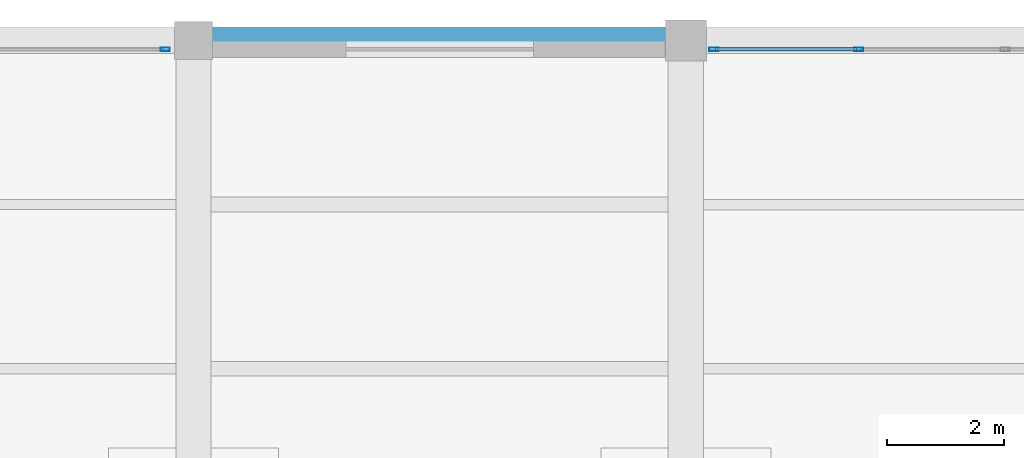
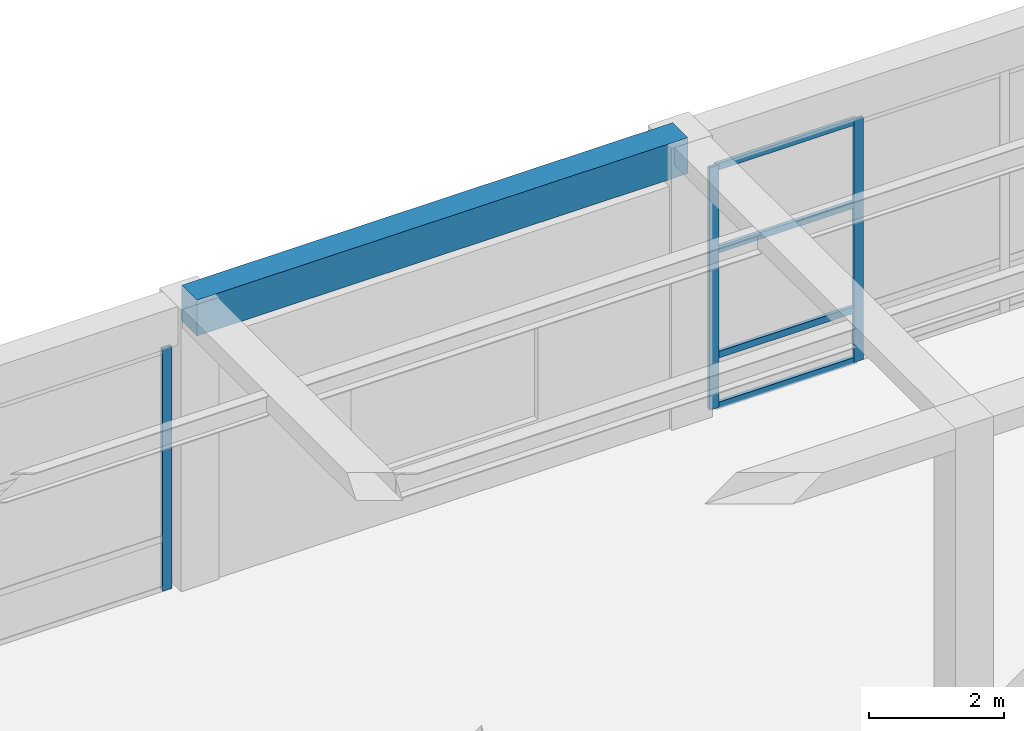
# One storey, part 63 of 96: 7 members, 1 beam, 2 elements without a shape of their own.
"""IFC4 building model written with IfcOpenShell, lengths in metres."""

from ifc_helpers import new_model, si_unit, direction, frame, origin, origin_2d, place, context, subcontext, project, spatial, rectangle, hollow_rectangle, extrude, material, material_profile, profile_set, type_object, element, aggregate, save


model = new_model("IFC4")

# Units and contexts
model_context = context("Model", 3, precision=1e-05, world=origin(), true_north=direction((0.0, 1.0)))
body_context = subcontext(model_context, "Body", "Model", "MODEL_VIEW")
ifc_project = project(units=[si_unit("LENGTHUNIT", "METRE"), si_unit("AREAUNIT", "SQUARE_METRE"), si_unit("VOLUMEUNIT", "CUBIC_METRE"), si_unit("PLANEANGLEUNIT", "RADIAN"), si_unit("MASSUNIT", "GRAM", prefix="KILO")], contexts=[model_context])

# Site, building, storey
site_placement = place(None, origin())
site = spatial("IfcSite", under=ifc_project, at=site_placement, CompositionType="ELEMENT")
building_placement = place(site_placement, origin())
building = spatial("IfcBuilding", under=site, at=building_placement, Name="Almacenes y Pasaje Nevantli", CompositionType="ELEMENT")
storey_placement = place(building_placement, frame((0.0, 0.0, 6.0)))
storey = spatial("IfcBuildingStorey", under=building, at=storey_placement, Name="L02", CompositionType="ELEMENT", Elevation=6.0)

# Beam
ifc_material_1 = material(Name="Concrete C35/45", Category="concrete")
ifc_material_profile_1 = material_profile(ifc_material_1, rectangle(XDim=0.449951171875, YDim=0.64990234375, at=origin_2d()), Name="RC-BM-450x650")
ifc_profile_set_1 = profile_set([ifc_material_profile_1], Name="Concrete C35/45")
beam_type = type_object("IfcBeamType", Name="BM-RC-450x650", PredefinedType="SPANDREL", material=ifc_profile_set_1)
beam_placement = place(storey_placement, frame((142.800048828125, 117.60009765625, 4.77490234375), z_axis=(1.0, 0.0, 0.0), x_axis=(0.0, 1.0, 0.0)))
element("IfcBeam", 1, at=beam_placement, inside=storey, type_object=beam_type, Name="L02 East-West Reinforced Concrete Beam #1963", PredefinedType="SPANDREL", context=body_context, shape_type="SweptSolid", body=[
    extrude(rectangle(XDim=0.449951171875, YDim=0.64990234375, at=origin_2d()), origin(), (0.0, 0.0, 1.0), 8.39990234375),
])

# Curtain wall, member
ifc_material_2 = material(Name="Thermally Broken Aluminium and Low-E Glass", Category="aluminium")
curtain_wall_type = type_object("IfcCurtainWallType", Name="CW-STF-BLVD", PredefinedType="USERDEFINED", material=ifc_material_2)
curtain_wall_1_placement = place(storey_placement, origin())
curtain_wall_1 = element("IfcCurtainWall", 2, at=curtain_wall_1_placement, inside=storey, type_object=curtain_wall_type, Name="L02 North Boulevard Retail Curtain Wall Bay 17", ObjectType="STOREFRONT GLAZING", PredefinedType="USERDEFINED")
ifc_material_3 = material(Name="Thermally Broken Anodized Aluminium", Category="aluminium")
ifc_material_profile_2 = material_profile(ifc_material_3, hollow_rectangle(XDim=0.06005859375, YDim=0.159912109375, WallThickness=0.00390625, at=origin_2d()), Name="ALU-MUL-60x160")
ifc_profile_set_2 = profile_set([ifc_material_profile_2], Name="Thermally Broken Anodized Aluminium")
member_type_1 = type_object("IfcMemberType", Name="CW-MUL-180", PredefinedType="MULLION", material=ifc_profile_set_2)
member_1_placement = place(storey_placement, frame((142.320068359375, 117.449951171875, 0.0), z_axis=(0.0, 0.0, 1.0), x_axis=(0.0, 1.0, 0.0)))
member_1 = element("IfcMember", 3, at=member_1_placement, type_object=member_type_1, Name="CW-L02-010 mullion 3", PredefinedType="MULLION", context=body_context, shape_type="SweptSolid", body=[
    extrude(hollow_rectangle(XDim=0.06005859375, YDim=0.159912109375, WallThickness=0.00390625, at=origin_2d()), origin(), (0.0, 0.0, 1.0), 4.3798828125),
])
aggregate(curtain_wall_1, [member_1])

# Curtain wall, members
curtain_wall_2_placement = place(storey_placement, origin())
curtain_wall_2 = element("IfcCurtainWall", 4, at=curtain_wall_2_placement, inside=storey, type_object=curtain_wall_type, Name="L02 North Boulevard Retail Curtain Wall Bay 19", ObjectType="STOREFRONT GLAZING", PredefinedType="USERDEFINED")
member_2_placement = place(storey_placement, frame((151.679931640625, 117.449951171875, 0.0), z_axis=(0.0, 0.0, 1.0), x_axis=(0.0, 1.0, 0.0)))
member_2 = element("IfcMember", 5, at=member_2_placement, type_object=member_type_1, Name="CW-L02-011 mullion 1", PredefinedType="MULLION", context=body_context, shape_type="SweptSolid", body=[
    extrude(hollow_rectangle(XDim=0.06005859375, YDim=0.159912109375, WallThickness=0.00390625, at=origin_2d()), origin(), (0.0, 0.0, 1.0), 4.3798828125),
])
member_3_placement = place(storey_placement, frame((154.14990234375, 117.449951171875, 0.0), z_axis=(0.0, 0.0, 1.0), x_axis=(0.0, 1.0, 0.0)))
member_3 = element("IfcMember", 6, at=member_3_placement, type_object=member_type_1, Name="CW-L02-011 mullion 2", PredefinedType="MULLION", context=body_context, shape_type="SweptSolid", body=[
    extrude(hollow_rectangle(XDim=0.06005859375, YDim=0.159912109375, WallThickness=0.00390625, at=origin_2d()), origin(), (0.0, 0.0, 1.0), 4.3798828125),
])
ifc_material_4 = material(Name="Thermally Broken Anodized Aluminium", Category="aluminium")
ifc_material_profile_3 = material_profile(ifc_material_4, hollow_rectangle(XDim=0.06005859375, YDim=0.1201171875, WallThickness=0.00341796875, at=origin_2d()), Name="ALU-TRN-60x120")
ifc_profile_set_3 = profile_set([ifc_material_profile_3], Name="Thermally Broken Anodized Aluminium")
member_type_2 = type_object("IfcMemberType", Name="CW-TRN-130", PredefinedType="USERDEFINED", material=ifc_profile_set_3)
member_4_placement = place(storey_placement, frame((151.7099609375, 117.449951171875, 0.030029296875), z_axis=(1.0, 0.0, 0.0), x_axis=(0.0, 1.0, 0.0)))
member_4 = element("IfcMember", 7, at=member_4_placement, type_object=member_type_2, Name="CW-L02-011 transom 1.1", ObjectType="TRANSOM", PredefinedType="USERDEFINED", context=body_context, shape_type="SweptSolid", body=[
    extrude(hollow_rectangle(XDim=0.06005859375, YDim=0.1201171875, WallThickness=0.00341796875, at=origin_2d()), origin(), (0.0, 0.0, 1.0), 2.41015625),
])
member_5_placement = place(storey_placement, frame((151.7099609375, 117.449951171875, 0.949951171875), z_axis=(1.0, 0.0, 0.0), x_axis=(0.0, 1.0, 0.0)))
member_5 = element("IfcMember", 8, at=member_5_placement, type_object=member_type_2, Name="CW-L02-011 transom 1.2", ObjectType="TRANSOM", PredefinedType="USERDEFINED", context=body_context, shape_type="SweptSolid", body=[
    extrude(hollow_rectangle(XDim=0.06005859375, YDim=0.1201171875, WallThickness=0.00341796875, at=origin_2d()), origin(), (0.0, 0.0, 1.0), 2.41015625),
])
member_6_placement = place(storey_placement, frame((151.7099609375, 117.449951171875, 2.85009765625), z_axis=(1.0, 0.0, 0.0), x_axis=(0.0, 1.0, 0.0)))
member_6 = element("IfcMember", 9, at=member_6_placement, type_object=member_type_2, Name="CW-L02-011 transom 1.3", ObjectType="TRANSOM", PredefinedType="USERDEFINED", context=body_context, shape_type="SweptSolid", body=[
    extrude(hollow_rectangle(XDim=0.06005859375, YDim=0.1201171875, WallThickness=0.00341796875, at=origin_2d()), origin(), (0.0, 0.0, 1.0), 2.41015625),
])
member_7_placement = place(storey_placement, frame((151.7099609375, 117.449951171875, 4.35009765625), z_axis=(1.0, 0.0, 0.0), x_axis=(0.0, 1.0, 0.0)))
member_7 = element("IfcMember", 10, at=member_7_placement, type_object=member_type_2, Name="CW-L02-011 transom 1.4", ObjectType="TRANSOM", PredefinedType="USERDEFINED", context=body_context, shape_type="SweptSolid", body=[
    extrude(hollow_rectangle(XDim=0.06005859375, YDim=0.1201171875, WallThickness=0.00341796875, at=origin_2d()), origin(), (0.0, 0.0, 1.0), 2.41015625),
])
aggregate(curtain_wall_2, [member_2, member_3, member_4, member_5, member_6, member_7])

save(model, "model.ifc")
